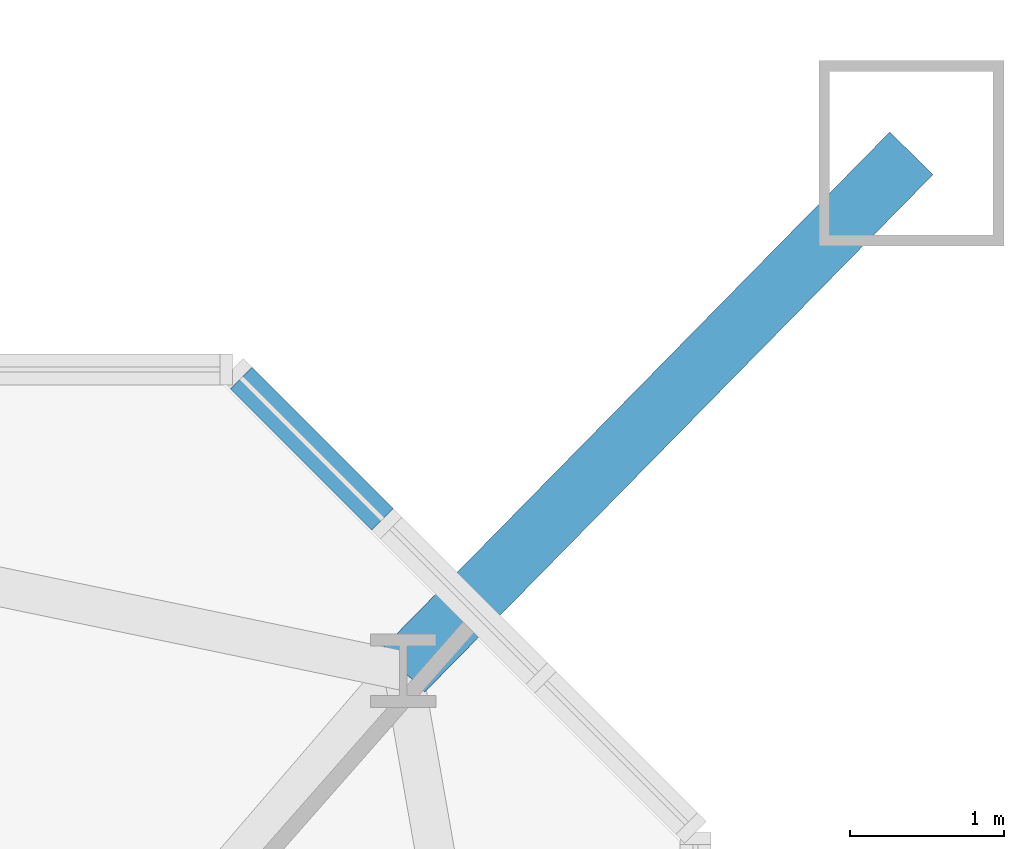
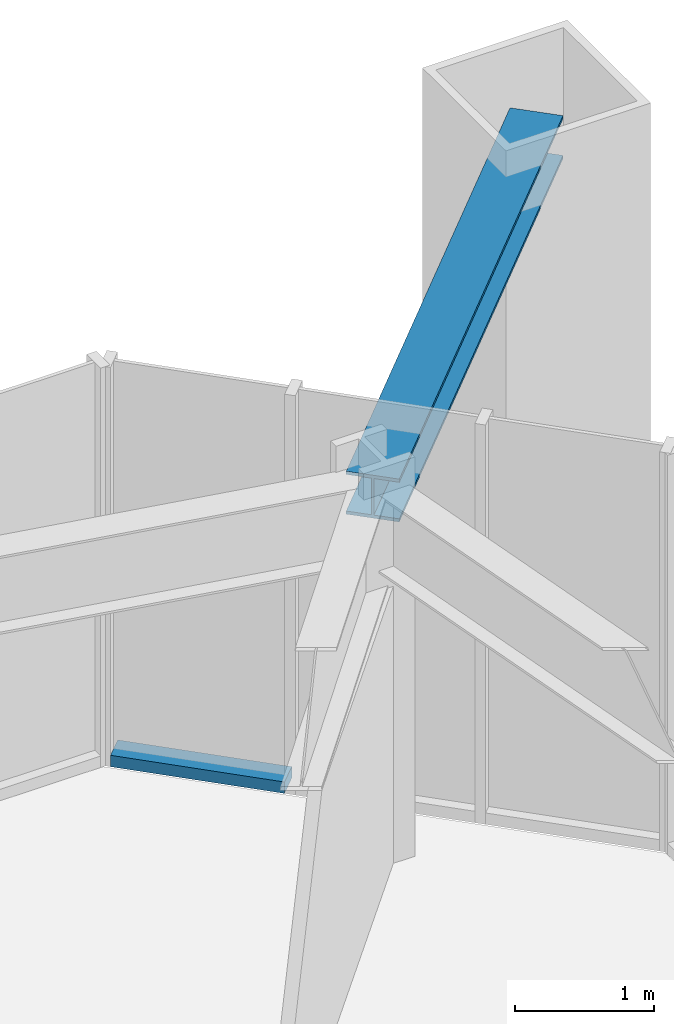
# One storey, part 11 of 26: 2 members, 1 element without a shape of its own.
"""IFC4 building model written with IfcOpenShell, lengths in metres."""

import ifcopenshell
import ifcopenshell.guid

model = None  # the IFC model being written
_history = None  # IfcOwnerHistory: only IFC2X3 demands one
_inside = {}  # id of a spatial element -> (the spatial element, [elements in it])
_under = {}  # id of a project, library or spatial element -> (it, [spatial elements below it])
_declared = {}  # id of a project -> (the project, [libraries it declares])
_typed = {}  # id of a type object -> (the type object, [elements of that type])
_made_of = {}  # id of a material, layer set ... -> (it, [elements and type objects made of it])


def new_model(schema):
    """Start an empty IFC model of exactly this schema.

    Asked for "IFC4X3", IfcOpenShell would pick the latest addendum, in which some entities
    have other attributes; the version numbers below select the first issue.
    IFC2X3 requires an IfcOwnerHistory on every rooted entity: one is made here for all.
    """
    global model, _history
    if schema == "IFC4X3":
        model = ifcopenshell.file(schema_version=(4, 3, 0, 0))
    else:
        model = ifcopenshell.file(schema=schema)
    _inside.clear()
    _under.clear()
    _declared.clear()
    _typed.clear()
    _made_of.clear()
    _history = None
    if model.schema == "IFC2X3":
        org = make("IfcOrganization", Name="unknown")
        user = make(
            "IfcPersonAndOrganization",
            ThePerson=make("IfcPerson", FamilyName="unknown"),
            TheOrganization=org,
        )
        app = make(
            "IfcApplication",
            ApplicationDeveloper=org,
            Version="unknown",
            ApplicationFullName="unknown",
            ApplicationIdentifier="unknown",
        )
        _history = make(
            "IfcOwnerHistory",
            OwningUser=user,
            OwningApplication=app,
            ChangeAction="ADDED",
            CreationDate=0,
        )
    return model


def make(cls, **values):
    """One entity of the class cls with the attributes given. An attribute that is None is left unset."""
    return model.create_entity(
        cls, **{name: value for name, value in values.items() if value is not None}
    )


def rooted(cls, **values):
    """An entity with a GlobalId (a new one), such as an element, a storey or a relation."""
    return make(cls, GlobalId=ifcopenshell.guid.new(), OwnerHistory=_history, **values)


def si_unit(unit_type, name, prefix=None):
    """IfcSIUnit, for example si_unit("LENGTHUNIT", "METRE", prefix="MILLI")."""
    return make("IfcSIUnit", UnitType=unit_type, Prefix=prefix, Name=name)


def assignment(units):
    """IfcUnitAssignment: the units of a project."""
    return None if units is None else make("IfcUnitAssignment", Units=units)


def point(xyz):
    """IfcCartesianPoint."""
    return None if xyz is None else make("IfcCartesianPoint", Coordinates=xyz)


def direction(xyz):
    """IfcDirection."""
    return None if xyz is None else make("IfcDirection", DirectionRatios=xyz)


def frame(location, z_axis=None, x_axis=None):
    """IfcAxis2Placement3D, a coordinate frame: its origin and axes. An axis left out is left unset."""
    return make(
        "IfcAxis2Placement3D",
        Location=point(location),
        Axis=direction(z_axis),
        RefDirection=direction(x_axis),
    )


def frame_2d(location, x_axis=None):
    """IfcAxis2Placement2D, a coordinate frame in the plane: its origin and x axis."""
    return make(
        "IfcAxis2Placement2D", Location=point(location), RefDirection=direction(x_axis)
    )


def origin():
    """The frame at (0, 0, 0) with its axes left unset."""
    return frame((0.0, 0.0, 0.0))


def origin_2d():
    """The frame at (0, 0) in the plane with its x axis left unset."""
    return frame_2d((0.0, 0.0))


def place(relative_to, where):
    """IfcLocalPlacement: puts the frame where relative to a parent placement (None: the world)."""
    return make(
        "IfcLocalPlacement", PlacementRelTo=relative_to, RelativePlacement=where
    )


def context(
    kind, dimensions, precision=None, world=None, true_north=None, identifier=None
):
    """IfcGeometricRepresentationContext, for example the 3D "Model" context."""
    return make(
        "IfcGeometricRepresentationContext",
        ContextIdentifier=identifier,
        ContextType=kind,
        CoordinateSpaceDimension=dimensions,
        Precision=precision,
        WorldCoordinateSystem=world,
        TrueNorth=true_north,
    )


def subcontext(parent, identifier, kind, view, scale=None):
    """IfcGeometricRepresentationSubContext, for example "Body" below "Model"."""
    return make(
        "IfcGeometricRepresentationSubContext",
        ContextIdentifier=identifier,
        ContextType=kind,
        ParentContext=parent,
        TargetScale=scale,
        TargetView=view,
    )


def project(units=None, contexts=None):
    """IfcProject with its units and contexts."""
    return rooted(
        "IfcProject",
        Name="project",
        RepresentationContexts=contexts,
        UnitsInContext=assignment(units),
    )


def spatial(cls, under=None, at=None, **own):
    """A site, building, storey or space (cls), placed at a placement, below another one or the project."""
    s = rooted(cls, ObjectPlacement=at, **own)
    if under is not None:
        _under.setdefault(under.id(), (under, []))[1].append(s)
    return s


def profile(cls, at=None, kind="AREA", **sizes):
    """A parametric profile (cls). Its sizes go by their IFC names, for example OverallWidth=200.0."""
    return make(cls, ProfileType=kind, Position=at, **sizes)


def rectangle(**sizes):
    """IfcRectangleProfileDef."""
    return profile("IfcRectangleProfileDef", **sizes)


def i_section(**sizes):
    """IfcIShapeProfileDef."""
    return profile("IfcIShapeProfileDef", **sizes)


def extrude(swept, where, along, depth):
    """IfcExtrudedAreaSolid: the profile swept, set in the frame where, extruded along a direction by depth."""
    return make(
        "IfcExtrudedAreaSolid",
        SweptArea=swept,
        Position=where,
        ExtrudedDirection=direction(along),
        Depth=depth,
    )


def shape(context_of_items, identifier, shape_type, items):
    """IfcShapeRepresentation: the items that make up one representation, for example the "Body"."""
    return make(
        "IfcShapeRepresentation",
        ContextOfItems=context_of_items,
        RepresentationIdentifier=identifier,
        RepresentationType=shape_type,
        Items=items,
    )


def material(Name=None, Category=None):
    """IfcMaterial."""
    return make("IfcMaterial", Name=Name, Category=Category)


def material_profile(
    of_material, cross_section, Name=None, Category=None, Priority=None
):
    """IfcMaterialProfile: a cross section and its material."""
    return make(
        "IfcMaterialProfile",
        Name=Name,
        Material=of_material,
        Profile=cross_section,
        Priority=Priority,
        Category=Category,
    )


def profile_set(profiles, Name=None, composite=None):
    """IfcMaterialProfileSet."""
    return make(
        "IfcMaterialProfileSet",
        Name=Name,
        MaterialProfiles=profiles,
        CompositeProfile=composite,
    )


def made_of(thing, what):
    """Note that an element or type object is made of a material, layer set ...; save() writes the relation."""
    if what is not None:
        _made_of.setdefault(what.id(), (what, []))[1].append(thing)
    return thing


def type_object(cls, material=None, **own):
    """A type object (cls), such as IfcWallType, which elements share."""
    return made_of(rooted(cls, **own), material)


def element(
    cls,
    number,
    at=None,
    inside=None,
    cuts=None,
    type_object=None,
    material=None,
    context=None,
    identifier="Body",
    shape_type=None,
    held_by="IfcProductDefinitionShape",
    body=None,
    shapes=None,
    **own,
):
    """One element of the class cls, such as IfcWall. Its Tag is "e" and its number.

    at: its placement. inside: the storey or other place that contains it. cuts: it is an
    opening in that element (IfcRelVoidsElement). A single representation is given by context,
    identifier, shape_type and body (its items); several are given by shapes. held_by: the class
    of the entity that holds the representations. save() writes the other relations.
    """
    e = rooted(cls, Tag="e%d" % number, ObjectPlacement=at, **own)
    if body is not None:
        shapes = [shape(context, identifier, shape_type, body)]
    if shapes is not None:
        e.Representation = make(held_by, Representations=shapes)
    if inside is not None:
        _inside.setdefault(inside.id(), (inside, []))[1].append(e)
    if cuts is not None:
        rooted(
            "IfcRelVoidsElement", RelatingBuildingElement=cuts, RelatedOpeningElement=e
        )
    if type_object is not None:
        _typed.setdefault(type_object.id(), (type_object, []))[1].append(e)
    return made_of(e, material)


def aggregate(whole, parts):
    """IfcRelAggregates: a whole, such as a stair, and the parts it consists of."""
    return rooted("IfcRelAggregates", RelatingObject=whole, RelatedObjects=parts)


def save(model, path):
    """Write the relations noted so far, then the file.

    IfcRelAggregates (storeys below a building ...), IfcRelContainedInSpatialStructure (elements
    in a storey), IfcRelDefinesByType, IfcRelAssociatesMaterial and IfcRelDeclares: one each for
    every whole, place, type object, material and project.
    """
    for whole, parts in _under.values():
        aggregate(whole, parts)
    for where, things in _inside.values():
        rooted(
            "IfcRelContainedInSpatialStructure",
            RelatedElements=things,
            RelatingStructure=where,
        )
    for kind, things in _typed.values():
        rooted("IfcRelDefinesByType", RelatedObjects=things, RelatingType=kind)
    for what, things in _made_of.values():
        rooted("IfcRelAssociatesMaterial", RelatedObjects=things, RelatingMaterial=what)
    for by, libraries in _declared.values():
        rooted("IfcRelDeclares", RelatingContext=by, RelatedDefinitions=libraries)
    model.write(path)


model = new_model("IFC4")

# Units and contexts
model_context = context("Model", 3, precision=1e-05, world=origin(), true_north=direction((0.0, 1.0)))
body_context = subcontext(model_context, "Body", "Model", "MODEL_VIEW")
ifc_project = project(units=[si_unit("LENGTHUNIT", "METRE"), si_unit("AREAUNIT", "SQUARE_METRE"), si_unit("VOLUMEUNIT", "CUBIC_METRE"), si_unit("PLANEANGLEUNIT", "RADIAN"), si_unit("MASSUNIT", "GRAM", prefix="KILO")], contexts=[model_context])

# Site, building, storey
site_placement = place(None, origin())
site = spatial("IfcSite", under=ifc_project, at=site_placement, CompositionType="ELEMENT")
building_placement = place(site_placement, origin())
building = spatial("IfcBuilding", under=site, at=building_placement, Name="Iwan Alto Co-Living Towers", CompositionType="ELEMENT")
storey_placement = place(building_placement, frame((0.0, 0.0, 18.5)))
storey = spatial("IfcBuildingStorey", under=building, at=storey_placement, Name="L04", CompositionType="ELEMENT", Elevation=18.5)

# Curtain wall, member
ifc_material_1 = material(Name="Bronze aluminium unitised frame", Category="aluminium")
curtain_wall_type = type_object("IfcCurtainWallType", Name="CURTAIN WALL CW-D", PredefinedType="NOTDEFINED", material=ifc_material_1)
curtain_wall_placement = place(storey_placement, origin())
curtain_wall = element("IfcCurtainWall", 1, at=curtain_wall_placement, inside=storey, type_object=curtain_wall_type, Name="T2 chamfer curtain wall NE L04", PredefinedType="NOTDEFINED")
ifc_material_2 = material(Name="Aluminium 6063-T6 bronze anodised", Category="aluminium")
ifc_material_profile_1 = material_profile(ifc_material_2, rectangle(XDim=0.199951171875, YDim=0.10009765625, at=origin_2d()), Name="AL 200X100")
ifc_profile_set_1 = profile_set([ifc_material_profile_1], Name="Aluminium 6063-T6 bronze anodised")
member_type_1 = type_object("IfcMemberType", Name="CW-D TRANSOM 200X100", PredefinedType="USERDEFINED", material=ifc_profile_set_1)
member_1_placement = place(storey_placement, frame((77.4716796875, 17.7783203125, 0.050048828125), z_axis=(-0.707106781187, 0.707106781187, 0.0), x_axis=(-0.707106781187, -0.707106781187, 0.0)))
member_1 = element("IfcMember", 2, at=member_1_placement, type_object=member_type_1, Name="CW-D transom 3.1", ObjectType="TRANSOM", PredefinedType="USERDEFINED", context=body_context, shape_type="SweptSolid", body=[
    extrude(rectangle(XDim=0.199951171875, YDim=0.10009765625, at=origin_2d()), origin(), (0.0, 0.0, 1.0), 1.2939453125),
])
aggregate(curtain_wall, [member_1])

# Member
ifc_material_3 = material(Name="Steel ASTM A992 Gr 50", Category="steel")
ifc_material_profile_2 = material_profile(ifc_material_3, i_section(OverallWidth=0.393798828125, OverallDepth=0.3759765625, WebThickness=0.017333984375, FlangeThickness=0.027587890625, at=origin_2d()), Name="W14X145")
ifc_profile_set_2 = profile_set([ifc_material_profile_2], Name="Steel ASTM A992 Gr 50")
member_type_2 = type_object("IfcMemberType", Name="T2 MEGA COLUMN FLOOR TIE W14X145", PredefinedType="STRUT", material=ifc_profile_set_2)
member_2_placement = place(storey_placement, frame((80.89990234375, 20.14990234375, 3.08203125), z_axis=(-0.700793469544, -0.71336422187, 0.0), x_axis=(0.71336422187, -0.700793469544, 0.0)))
element("IfcMember", 3, at=member_2_placement, inside=storey, type_object=member_type_2, Name="T2 mega column floor tie NE L05", PredefinedType="STRUT", context=body_context, shape_type="SweptSolid", body=[
    extrude(i_section(OverallWidth=0.393798828125, OverallDepth=0.3759765625, WebThickness=0.017333984375, FlangeThickness=0.027587890625, at=origin_2d()), origin(), (0.0, 0.0, 1.0), 4.699951171875),
])

save(model, "model.ifc")
